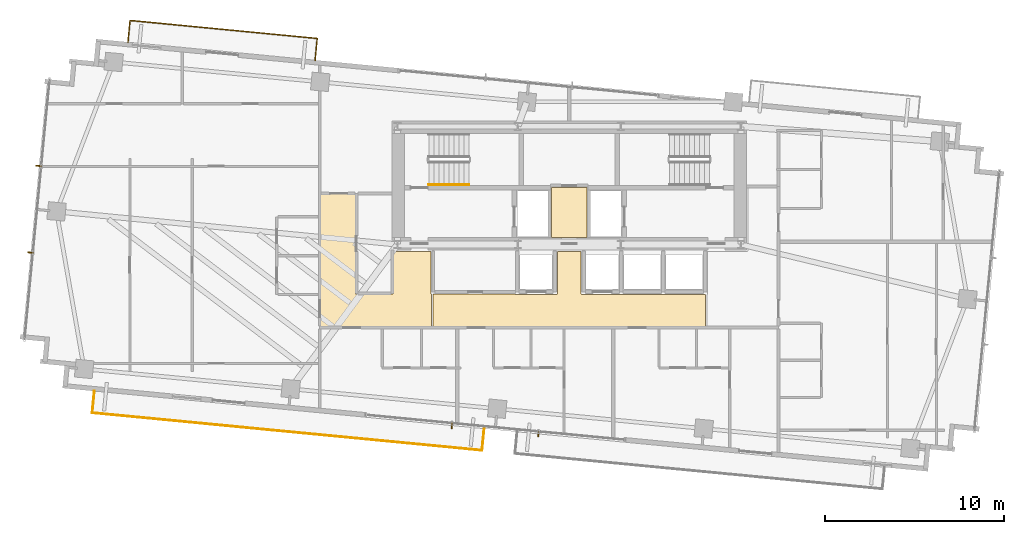
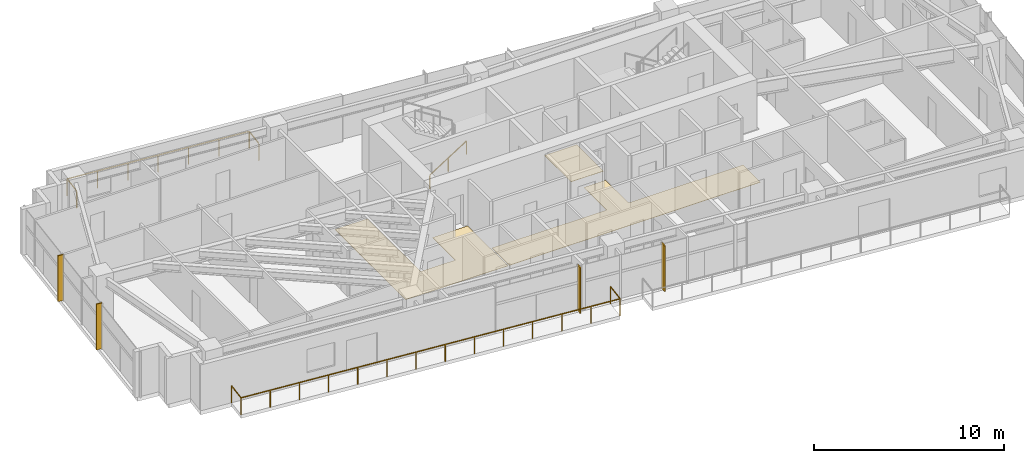
# One storey, part 18 of 19: 4 shading devices, 3 coverings, 3 railings.
"""IFC4 building model written with IfcOpenShell, lengths in metres."""

from ifc_helpers import new_model, si_unit, direction, frame, origin, origin_2d, place, context, subcontext, project, spatial, polyline, rectangle, outline, extrude, source, transform, mapped, material, layer, layer_set, type_object, type_shapes, element, save


model = new_model("IFC4")

# Units and contexts
model_context = context("Model", 3, precision=1e-05, world=origin(), true_north=direction((0.0, 1.0)))
body_context = subcontext(model_context, "Body", "Model", "MODEL_VIEW")
ifc_project = project(units=[si_unit("LENGTHUNIT", "METRE"), si_unit("AREAUNIT", "SQUARE_METRE"), si_unit("VOLUMEUNIT", "CUBIC_METRE"), si_unit("PLANEANGLEUNIT", "RADIAN"), si_unit("MASSUNIT", "GRAM", prefix="KILO")], contexts=[model_context])

# Site, building, storey
site_placement = place(None, origin())
site = spatial("IfcSite", under=ifc_project, at=site_placement, CompositionType="ELEMENT")
building_placement = place(site_placement, origin())
building = spatial("IfcBuilding", under=site, at=building_placement, Name="Astriad Promenade Condominiums", CompositionType="ELEMENT")
storey_placement = place(building_placement, frame((0.0, 0.0, 147.0)))
storey = spatial("IfcBuildingStorey", under=building, at=storey_placement, Name="L42", CompositionType="ELEMENT", Elevation=147.0)

# Coverings
ifc_material_1 = material(Name="Polished Lakefront Terrazzo Flooring")
ifc_layer = layer(ifc_material_1, 0.02001953125)
ifc_layer_set = layer_set([ifc_layer], Name="Polished Lakefront Terrazzo Flooring")
covering_type = type_object("IfcCoveringType", Name="COV-FLOR-TERRAZZO-20", PredefinedType="FLOORING", material=ifc_layer_set)
covering_1_placement = place(storey_placement, origin())
element("IfcCovering", 1, at=covering_1_placement, inside=storey, type_object=covering_type, Name="FLR-L42-CSL", PredefinedType="FLOORING", context=body_context, shape_type="SweptSolid", body=[
    extrude(outline(polyline([(36.97998046875, 17.7900390625), (35.02001953125, 17.7900390625), (35.02001953125, 20.580078125), (36.97998046875, 20.580078125), (36.97998046875, 17.7900390625)])), origin(), (0.0, 0.0, 1.0), 0.02001953125),
])
covering_2_placement = place(storey_placement, origin())
element("IfcCovering", 2, at=covering_2_placement, inside=storey, type_object=covering_type, Name="FLR-L42-LLB", PredefinedType="FLOORING", context=body_context, shape_type="SweptSolid", body=[
    extrude(outline(polyline([(32.9736328125, 14.6201171875), (32.974609375, 14.619140625), (32.977783203125, 14.61669921875), (32.981201171875, 14.61474609375), (32.984619140625, 14.613037109375), (32.98828125, 14.61181640625), (32.9921875, 14.61083984375), (32.99609375, 14.610107421875), (33.0, 14.610107421875), (35.300048828125, 14.610107421875), (35.303955078125, 14.610107421875), (35.307861328125, 14.61083984375), (35.3115234375, 14.61181640625), (35.315185546875, 14.613037109375), (35.31884765625, 14.61474609375), (35.322265625, 14.61669921875), (35.325439453125, 14.619140625), (35.328369140625, 14.62158203125), (35.330810546875, 14.62451171875), (35.333251953125, 14.627685546875), (35.335205078125, 14.631103515625), (35.3369140625, 14.634765625), (35.33837890625, 14.638427734375), (35.339111328125, 14.64208984375), (35.33984375, 14.64599609375), (35.340087890625, 14.64990234375), (35.340087890625, 17.010009765625), (36.659912109375, 17.010009765625), (36.659912109375, 14.64990234375), (36.66015625, 14.64599609375), (36.660888671875, 14.64208984375), (36.66162109375, 14.638427734375), (36.6630859375, 14.634765625), (36.664794921875, 14.631103515625), (36.666748046875, 14.627685546875), (36.669189453125, 14.62451171875), (36.671630859375, 14.62158203125), (36.674560546875, 14.619140625), (36.677734375, 14.61669921875), (36.68115234375, 14.61474609375), (36.684814453125, 14.613037109375), (36.6884765625, 14.61181640625), (36.692138671875, 14.61083984375), (36.696044921875, 14.610107421875), (36.699951171875, 14.610107421875), (43.610107421875, 14.610107421875), (43.610107421875, 12.7900390625), (28.389892578125, 12.7900390625), (28.389892578125, 14.6201171875), (32.9736328125, 14.6201171875)])), origin(), (0.0, 0.0, 1.0), 0.02001953125),
])
covering_3_placement = place(storey_placement, origin())
element("IfcCovering", 3, at=covering_3_placement, inside=storey, type_object=covering_type, Name="FLR-L42-COR-2", PredefinedType="FLOORING", context=body_context, shape_type="SweptSolid", body=[
    extrude(outline(polyline([(28.300048828125, 12.7900390625), (22.090087890625, 12.7900390625), (22.090087890625, 20.2099609375), (24.06005859375, 20.2099609375), (24.06005859375, 14.659912109375), (24.060302734375, 14.656005859375), (24.060791015625, 14.652099609375), (24.061767578125, 14.6484375), (24.06298828125, 14.644775390625), (24.064697265625, 14.64111328125), (24.066650390625, 14.6376953125), (24.069091796875, 14.634521484375), (24.07177734375, 14.631591796875), (24.07470703125, 14.629150390625), (24.077880859375, 14.626708984375), (24.0810546875, 14.624755859375), (24.084716796875, 14.623046875), (24.08837890625, 14.62158203125), (24.09228515625, 14.620849609375), (24.09619140625, 14.6201171875), (24.10009765625, 14.6201171875), (26.1201171875, 14.6201171875), (26.123779296875, 14.6201171875), (26.127685546875, 14.620849609375), (26.131591796875, 14.62158203125), (26.13525390625, 14.623046875), (26.138916015625, 14.624755859375), (26.14208984375, 14.626708984375), (26.1455078125, 14.629150390625), (26.148193359375, 14.631591796875), (26.15087890625, 14.634521484375), (26.1533203125, 14.6376953125), (26.1552734375, 14.64111328125), (26.156982421875, 14.644775390625), (26.158203125, 14.6484375), (26.1591796875, 14.652099609375), (26.159912109375, 14.656005859375), (26.159912109375, 14.659912109375), (26.159912109375, 17.010009765625), (28.280029296875, 17.010009765625), (28.280029296875, 14.659912109375), (28.2802734375, 14.656005859375), (28.28076171875, 14.652099609375), (28.28173828125, 14.6484375), (28.282958984375, 14.644775390625), (28.28466796875, 14.64111328125), (28.28662109375, 14.6376953125), (28.2890625, 14.634521484375), (28.291748046875, 14.631591796875), (28.294677734375, 14.629150390625), (28.2978515625, 14.626708984375), (28.300048828125, 14.62548828125), (28.300048828125, 12.7900390625)])), origin(), (0.0, 0.0, 1.0), 0.02001953125),
])

# Shading devices
ifc_material_2 = material(Name="Anodised aluminium 6063-T6 Black Fin", Category="aluminium")
shading_device_type = type_object("IfcShadingDeviceType", Name="FIN-BLACK-260", PredefinedType="USERDEFINED", material=ifc_material_2)
shared_shape_1 = source(origin(), body_context, "Body", "SweptSolid", [
    extrude(rectangle(XDim=0.06494140625, YDim=0.320068359375, at=origin_2d()), origin(), (0.0, 0.0, 1.0), 2.93994140625),
])
type_shapes(shading_device_type, [shared_shape_1])
for number, where, z_axis, x_axis, name in (
    (4, (5.880126953125, 16.947509765625, 0.0), (0.0, 0.0, 1.0), (0.09584575252, 0.995396198367, 0.0), "CW-L42-W-FIN-01"),
    (5, (6.3466796875, 21.791748046875, 0.0), (0.0, 0.0, 1.0), (0.09584575252, 0.995396198367, 0.0), "CW-L42-W-FIN-02"),
    (6, (34.278564453125, 6.80224609375, 0.0), (0.0, 0.0, 1.0), (-0.995396198367, 0.09584575252, 0.0), "CW-L42-S-FIN-01"),
    (7, (29.44091796875, 7.26806640625, 0.0), (0.0, 0.0, 1.0), (-0.995396198367, 0.09584575252, 0.0), "CW-L42-S-FIN-02"),
):
    element("IfcShadingDevice", number, at=place(storey_placement, frame(where, z_axis=z_axis, x_axis=x_axis)), inside=storey, type_object=shading_device_type, Name=name, ObjectType="FIN", PredefinedType="USERDEFINED", context=body_context, shape_type="MappedRepresentation", body=[
        mapped(shared_shape_1, transform((0.0, 0.0, 0.0), scale=1.0)),
    ])

# Railings
ifc_material_3 = material(Name="Laminated Glass and Stainless Steel Balustrade", Category="steel")
railing_type_1 = type_object("IfcRailingType", Name="GRD-BALC-1120", PredefinedType="BALUSTRADE", material=ifc_material_3)
shared_shape_2 = source(origin(), body_context, "Body", "SweptSolid", [
    extrude(rectangle(XDim=0.048095703125, YDim=0.048095703125, at=origin_2d()), frame((0.0, 0.0, 1.09619140625), z_axis=(-0.095857307208, -0.99539508571, 0.0), x_axis=(0.99539508571, -0.095857307208, 0.0)), (0.0, 0.0, 1.0), 1.219970703125),
    extrude(rectangle(XDim=0.048095703125, YDim=0.048095703125, at=origin_2d()), frame((-0.116943359375, -1.21435546875, 1.09619140625), z_axis=(0.995396187865, -0.095845861589, 0.0), x_axis=(0.095845861589, 0.995396187865, 0.0)), (0.0, 0.0, 1.0), 21.890869140625),
    extrude(rectangle(XDim=0.048095703125, YDim=0.048095703125, at=origin_2d()), frame((21.673095703125, -3.3125, 1.09619140625), z_axis=(0.095857307208, 0.99539508571, 0.0), x_axis=(-0.99539508571, 0.095857307208, 0.0)), (0.0, 0.0, 1.0), 1.219970703125),
    extrude(rectangle(XDim=0.0419921875, YDim=0.0419921875, at=origin_2d()), origin(), (0.0, 0.0, 1.0), 1.072021484375),
    extrude(rectangle(XDim=0.0419921875, YDim=0.0419921875, at=origin_2d()), frame((-0.116943359375, -1.21435546875, 0.0)), (0.0, 0.0, 1.0), 1.072021484375),
    extrude(rectangle(XDim=0.0419921875, YDim=0.0419921875, at=origin_2d()), frame((1.559326171875, -1.375732421875, 0.0)), (0.0, 0.0, 1.0), 1.072021484375),
    extrude(rectangle(XDim=0.0419921875, YDim=0.0419921875, at=origin_2d()), frame((3.2353515625, -1.537109375, 0.0)), (0.0, 0.0, 1.0), 1.072021484375),
    extrude(rectangle(XDim=0.0419921875, YDim=0.0419921875, at=origin_2d()), frame((4.91162109375, -1.698486328125, 0.0)), (0.0, 0.0, 1.0), 1.072021484375),
    extrude(rectangle(XDim=0.0419921875, YDim=0.0419921875, at=origin_2d()), frame((6.587646484375, -1.85986328125, 0.0)), (0.0, 0.0, 1.0), 1.072021484375),
    extrude(rectangle(XDim=0.0419921875, YDim=0.0419921875, at=origin_2d()), frame((8.263916015625, -2.021240234375, 0.0)), (0.0, 0.0, 1.0), 1.072021484375),
    extrude(rectangle(XDim=0.0419921875, YDim=0.0419921875, at=origin_2d()), frame((9.93994140625, -2.1826171875, 0.0)), (0.0, 0.0, 1.0), 1.072021484375),
    extrude(rectangle(XDim=0.0419921875, YDim=0.0419921875, at=origin_2d()), frame((11.6162109375, -2.34423828125, 0.0)), (0.0, 0.0, 1.0), 1.072021484375),
    extrude(rectangle(XDim=0.0419921875, YDim=0.0419921875, at=origin_2d()), frame((13.292236328125, -2.505615234375, 0.0)), (0.0, 0.0, 1.0), 1.072021484375),
    extrude(rectangle(XDim=0.0419921875, YDim=0.0419921875, at=origin_2d()), frame((14.968505859375, -2.6669921875, 0.0)), (0.0, 0.0, 1.0), 1.072021484375),
    extrude(rectangle(XDim=0.0419921875, YDim=0.0419921875, at=origin_2d()), frame((16.64453125, -2.828369140625, 0.0)), (0.0, 0.0, 1.0), 1.072021484375),
    extrude(rectangle(XDim=0.0419921875, YDim=0.0419921875, at=origin_2d()), frame((18.32080078125, -2.98974609375, 0.0)), (0.0, 0.0, 1.0), 1.072021484375),
    extrude(rectangle(XDim=0.0419921875, YDim=0.0419921875, at=origin_2d()), frame((19.996826171875, -3.151123046875, 0.0)), (0.0, 0.0, 1.0), 1.072021484375),
    extrude(rectangle(XDim=0.0419921875, YDim=0.0419921875, at=origin_2d()), frame((21.673095703125, -3.3125, 0.0)), (0.0, 0.0, 1.0), 1.072021484375),
    extrude(rectangle(XDim=0.0419921875, YDim=0.0419921875, at=origin_2d()), frame((21.7900390625, -2.09814453125, 0.0)), (0.0, 0.0, 1.0), 1.072021484375),
])
railing_1_placement = place(storey_placement, frame((9.450439453125, 9.202880859375, 0.0)))
element("IfcRailing", 8, at=railing_1_placement, inside=storey, type_object=railing_type_1, Name="GRD-BALC-L42-SW", PredefinedType="BALUSTRADE", context=body_context, shape_type="MappedRepresentation", body=[
    mapped(shared_shape_2, transform((0.0, 0.0, 0.0), scale=1.0)),
])
shared_shape_3 = source(origin(), body_context, "Body", "SweptSolid", [
    extrude(rectangle(XDim=0.048095703125, YDim=0.048095703125, at=origin_2d()), frame((0.0, 0.0, 1.09619140625), z_axis=(0.096055582315, 0.995375971734, 0.0), x_axis=(-0.995375971734, 0.096055582315, 0.0)), (0.0, 0.0, 1.0), 1.219970703125),
    extrude(rectangle(XDim=0.048095703125, YDim=0.048095703125, at=origin_2d()), frame((0.1171875, 1.21435546875, 1.09619140625), z_axis=(-0.995397790848, 0.095829212532, 0.0), x_axis=(-0.095829212532, -0.995397790848, 0.0)), (0.0, 0.0, 1.0), 10.51416015625),
    extrude(rectangle(XDim=0.048095703125, YDim=0.048095703125, at=origin_2d()), frame((-10.3486328125, 2.221923828125, 1.09619140625), z_axis=(-0.095876405589, -0.995393246336, 0.0), x_axis=(0.995393246336, -0.095876405589, 0.0)), (0.0, 0.0, 1.0), 1.2197265625),
    extrude(rectangle(XDim=0.0419921875, YDim=0.0419921875, at=origin_2d()), origin(), (0.0, 0.0, 1.0), 1.072021484375),
    extrude(rectangle(XDim=0.0419921875, YDim=0.0419921875, at=origin_2d()), frame((0.1171875, 1.21435546875, 0.0)), (0.0, 0.0, 1.0), 1.072021484375),
    extrude(rectangle(XDim=0.0419921875, YDim=0.0419921875, at=origin_2d()), frame((-1.627197265625, 1.38232421875, 0.0)), (0.0, 0.0, 1.0), 1.072021484375),
    extrude(rectangle(XDim=0.0419921875, YDim=0.0419921875, at=origin_2d()), frame((-3.371337890625, 1.55029296875, 0.0)), (0.0, 0.0, 1.0), 1.072021484375),
    extrude(rectangle(XDim=0.0419921875, YDim=0.0419921875, at=origin_2d()), frame((-5.11572265625, 1.71826171875, 0.0)), (0.0, 0.0, 1.0), 1.072021484375),
    extrude(rectangle(XDim=0.0419921875, YDim=0.0419921875, at=origin_2d()), frame((-6.860107421875, 1.885986328125, 0.0)), (0.0, 0.0, 1.0), 1.072021484375),
    extrude(rectangle(XDim=0.0419921875, YDim=0.0419921875, at=origin_2d()), frame((-8.604248046875, 2.053955078125, 0.0)), (0.0, 0.0, 1.0), 1.072021484375),
    extrude(rectangle(XDim=0.0419921875, YDim=0.0419921875, at=origin_2d()), frame((-10.3486328125, 2.221923828125, 0.0)), (0.0, 0.0, 1.0), 1.072021484375),
    extrude(rectangle(XDim=0.0419921875, YDim=0.0419921875, at=origin_2d()), frame((-10.465576171875, 1.0078125, 0.0)), (0.0, 0.0, 1.0), 1.072021484375),
])
type_shapes(railing_type_1, [shared_shape_2, shared_shape_3])
railing_2_placement = place(storey_placement, frame((21.79443359375, 27.705078125, 0.0)))
element("IfcRailing", 9, at=railing_2_placement, inside=storey, type_object=railing_type_1, Name="GRD-BALC-L42-NW", PredefinedType="BALUSTRADE", context=body_context, shape_type="MappedRepresentation", body=[
    mapped(shared_shape_3, transform((0.0, 0.0, 0.0), scale=1.0)),
])
ifc_material_4 = material(Name="Brushed Stainless Steel Handrail", Category="steel")
railing_type_2 = type_object("IfcRailingType", Name="HRL-STAIR-920", PredefinedType="HANDRAIL", material=ifc_material_4)
shared_shape_4 = source(origin(), body_context, "Body", "SweptSolid", [
    extrude(rectangle(XDim=0.048095703125, YDim=0.048095703125, at=origin_2d()), frame((0.0, 0.0, 0.8759765625), z_axis=(0.84418770128, 0.0, 0.536047689118), x_axis=(0.0, 1.0, 0.0)), (0.0, 0.0, 1.0), 2.6533203125),
    extrude(rectangle(XDim=0.0419921875, YDim=0.0419921875, at=origin_2d()), origin(), (0.0, 0.0, 1.0), 0.851806640625),
    extrude(rectangle(XDim=0.0419921875, YDim=0.0419921875, at=origin_2d()), frame((1.1201171875, 0.0, 0.711181640625)), (0.0, 0.0, 1.0), 0.851806640625),
    extrude(rectangle(XDim=0.0419921875, YDim=0.0419921875, at=origin_2d()), frame((2.239990234375, 0.0, 1.42236328125)), (0.0, 0.0, 1.0), 0.851806640625),
])
type_shapes(railing_type_2, [shared_shape_4])
railing_3_placement = place(storey_placement, frame((28.14990234375, 20.75, 0.177734375)))
element("IfcRailing", 10, at=railing_3_placement, inside=storey, type_object=railing_type_2, Name="L42 ST-1 stair handrail 1", PredefinedType="HANDRAIL", context=body_context, shape_type="MappedRepresentation", body=[
    mapped(shared_shape_4, transform((0.0, 0.0, 0.0), scale=1.0)),
])

save(model, "model.ifc")
